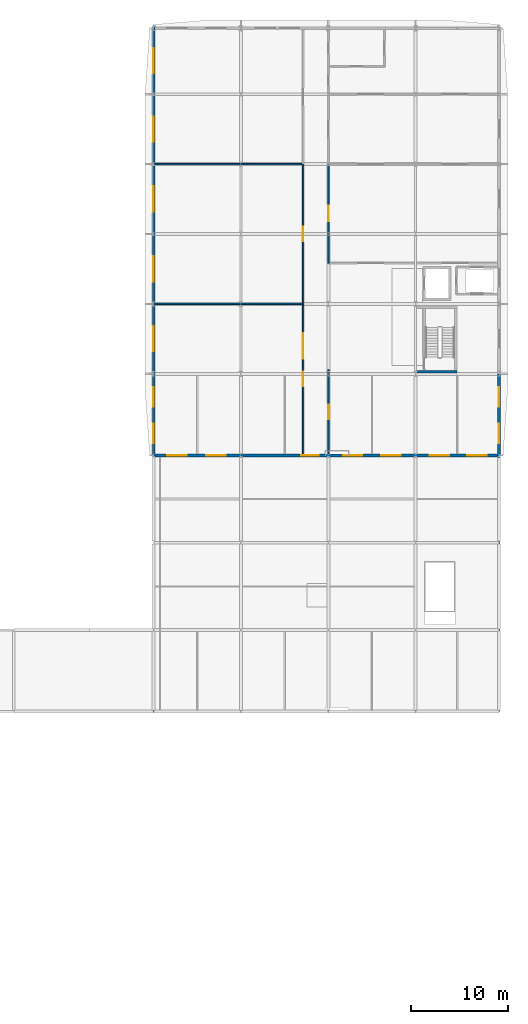
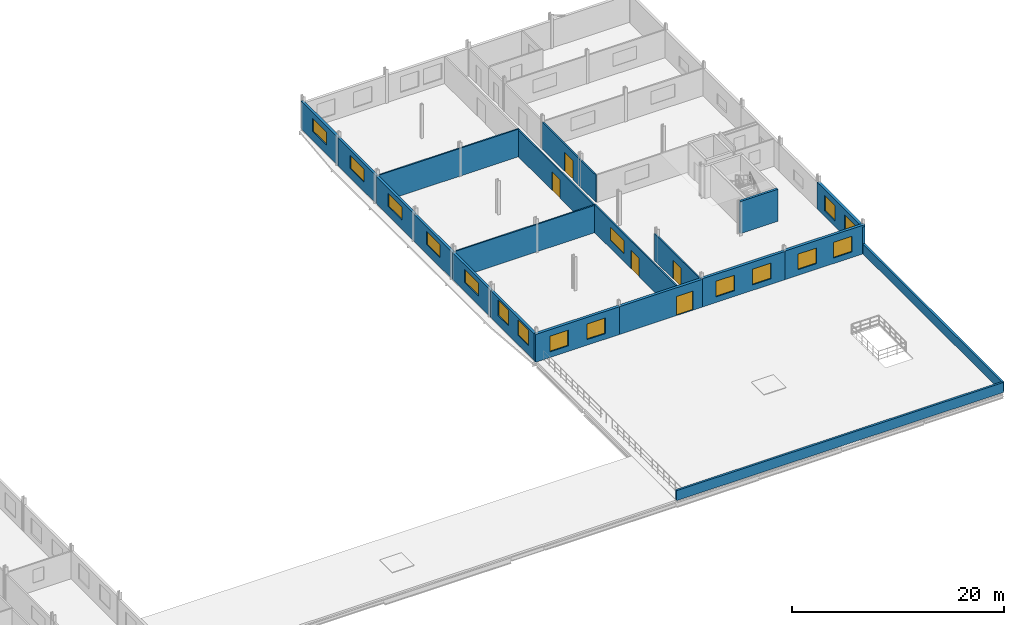
# One storey, part 66 of 78: 20 walls, 16 windows, 5 doors, 21 openings.
"""IFC4 building model written with IfcOpenShell, lengths in metres."""

from ifc_helpers import new_model, si_unit, direction, frame, frame_2d, origin, place, context, subcontext, project, spatial, rectangle, extrude, material, layer, layer_set, type_object, element, fill, save


model = new_model("IFC4")

# Units and contexts
model_context = context("Model", 3, precision=1e-05, world=origin(), true_north=direction((0.0, 1.0)))
body_context = subcontext(model_context, "Body", "Model", "MODEL_VIEW")
ifc_project = project(units=[si_unit("LENGTHUNIT", "METRE"), si_unit("AREAUNIT", "SQUARE_METRE"), si_unit("VOLUMEUNIT", "CUBIC_METRE"), si_unit("PLANEANGLEUNIT", "RADIAN"), si_unit("MASSUNIT", "GRAM", prefix="KILO")], contexts=[model_context])

# Site, building, storey
site_placement = place(None, origin())
site = spatial("IfcSite", under=ifc_project, at=site_placement, CompositionType="ELEMENT")
building_placement = place(site_placement, origin())
building = spatial("IfcBuilding", under=site, at=building_placement, Name="Vinh Khe Railworks Police Headquarters", CompositionType="ELEMENT")
storey_placement = place(building_placement, frame((0.0, 0.0, 13.199951171875)))
storey = spatial("IfcBuildingStorey", under=building, at=storey_placement, Name="L03", CompositionType="ELEMENT", Elevation=13.199951171875)

# Wall
ifc_material_1 = material(Name="Concrete C40/50 (B40)", Category="concrete")
ifc_layer_1 = layer(ifc_material_1, 0.25)
ifc_layer_set_1 = layer_set([ifc_layer_1], Name="Concrete C40/50 (B40)")
wall_type_1 = type_object("IfcWallType", Name="Core Shear Wall 250", PredefinedType="SHEAR", material=ifc_layer_set_1)
wall_1_placement = place(storey_placement, frame((105.14990234375, 131.02490234375, 0.0), z_axis=(0.0, 0.0, 1.0), x_axis=(1.0, 0.0, 0.0)))
element("IfcWall", 1, at=wall_1_placement, inside=storey, type_object=wall_type_1, Name="Core C3 STAIR-S Shear Wall (L03)", PredefinedType="SHEAR", context=body_context, shape_type="SweptSolid", body=[
    extrude(rectangle(XDim=4.10009765625, YDim=0.25, at=frame_2d((2.050048828125, 0.0))), origin(), (0.0, 0.0, 1.0), 3.699951171875),
])

# Wall, openings, windows
ifc_material_2 = material(Name="Clay brickwork", Category="masonry")
ifc_layer_2 = layer(ifc_material_2, 0.260009765625)
ifc_layer_set_2 = layer_set([ifc_layer_2], Name="Clay brickwork")
wall_type_2 = type_object("IfcWallType", Name="EW-BRK-260", PredefinedType="SOLIDWALL", material=ifc_layer_set_2)
wall_2_placement = place(storey_placement, frame((78.0, 122.27001953125, 0.0), z_axis=(0.0, 0.0, 1.0), x_axis=(0.0, 1.0, 0.0)))
wall_2 = element("IfcWall", 2, at=wall_2_placement, inside=storey, type_object=wall_type_2, Name="Exterior Brick Wall EW-L03-V6W-01", PredefinedType="SOLIDWALL", context=body_context, shape_type="SweptSolid", body=[
    extrude(rectangle(XDim=8.530029296875, YDim=0.260009765625, at=frame_2d((4.26513671875, 0.0))), origin(), (0.0, 0.0, 1.0), 3.094970703125),
])
opening_1_placement = place(wall_2_placement, frame((1.388427734375, 0.0, 1.050048828125)))
opening_1 = element("IfcOpeningElement", 3, at=opening_1_placement, cuts=wall_2, Name="Opening WN-04", PredefinedType="OPENING", context=body_context, shape_type="SweptSolid", body=[
    extrude(rectangle(XDim=2.0, YDim=1.800048828125, at=frame_2d((1.0, 0.89990234375))), frame((0.0, 0.14501953125, 0.0), z_axis=(0.0, -1.0, 0.0), x_axis=(1.0, 0.0, 0.0)), (0.0, 0.0, 1.0), 0.289794921875),
])
opening_2_placement = place(wall_2_placement, frame((5.1416015625, 0.0, 1.050048828125)))
opening_2 = element("IfcOpeningElement", 4, at=opening_2_placement, cuts=wall_2, Name="Opening WN-04", PredefinedType="OPENING", context=body_context, shape_type="SweptSolid", body=[
    extrude(rectangle(XDim=2.0, YDim=1.800048828125, at=frame_2d((1.0, 0.89990234375))), frame((0.0, 0.14501953125, 0.0), z_axis=(0.0, -1.0, 0.0), x_axis=(1.0, 0.0, 0.0)), (0.0, 0.0, 1.0), 0.289794921875),
])
ifc_material_3 = material(Name="Double-glazed solar-control glass in dark steel frame", Category="steel")
window_type_1 = type_object("IfcWindowType", Name="WIN-WN-04", PartitioningType="DOUBLE_PANEL_VERTICAL", PredefinedType="WINDOW", material=ifc_material_3)
window_1_placement = place(opening_1_placement, origin())
window_1 = element("IfcWindow", 5, at=window_1_placement, inside=storey, type_object=window_type_1, Name="Casement Window WN-04", OverallHeight=1.800048828125, OverallWidth=2.0, PartitioningType="SINGLE_PANEL", PredefinedType="WINDOW", context=body_context, shape_type="SweptSolid", body=[
    extrude(rectangle(XDim=2.0, YDim=1.800048828125, at=frame_2d((1.0, 0.89990234375))), frame((0.0, 0.030029296875, 0.0), z_axis=(0.0, -1.0, 0.0), x_axis=(1.0, 0.0, 0.0)), (0.0, 0.0, 1.0), 0.06005859375),
])
fill(opening_1, window_1)
window_2_placement = place(opening_2_placement, origin())
window_2 = element("IfcWindow", 6, at=window_2_placement, inside=storey, type_object=window_type_1, Name="Casement Window WN-04", OverallHeight=1.800048828125, OverallWidth=2.0, PartitioningType="SINGLE_PANEL", PredefinedType="WINDOW", context=body_context, shape_type="SweptSolid", body=[
    extrude(rectangle(XDim=2.0, YDim=1.800048828125, at=frame_2d((1.0, 0.89990234375))), frame((0.0, 0.030029296875, 0.0), z_axis=(0.0, -1.0, 0.0), x_axis=(1.0, 0.0, 0.0)), (0.0, 0.0, 1.0), 0.06005859375),
])
fill(opening_2, window_2)

# Wall, opening, window
wall_3_placement = place(storey_placement, frame((78.0, 130.800048828125, 0.0), z_axis=(0.0, 0.0, 1.0), x_axis=(0.0, 1.0, 0.0)))
wall_3 = element("IfcWall", 7, at=wall_3_placement, inside=storey, type_object=wall_type_2, Name="Exterior Brick Wall EW-L03-V6W-02", PredefinedType="SOLIDWALL", context=body_context, shape_type="SweptSolid", body=[
    extrude(rectangle(XDim=7.199951171875, YDim=0.260009765625, at=frame_2d((3.60009765625, 0.0))), origin(), (0.0, 0.0, 1.0), 3.094970703125),
])
opening_3_placement = place(wall_3_placement, frame((2.300048828125, 0.0, 1.050048828125)))
opening_3 = element("IfcOpeningElement", 8, at=opening_3_placement, cuts=wall_3, Name="Opening WN-07", PredefinedType="OPENING", context=body_context, shape_type="SweptSolid", body=[
    extrude(rectangle(XDim=2.60009765625, YDim=1.5, at=frame_2d((1.300048828125, 0.75))), frame((0.0, 0.14501953125, 0.0), z_axis=(0.0, -1.0, 0.0), x_axis=(1.0, 0.0, 0.0)), (0.0, 0.0, 1.0), 0.289794921875),
])
window_type_2 = type_object("IfcWindowType", Name="WIN-WN-07", PartitioningType="DOUBLE_PANEL_HORIZONTAL", PredefinedType="WINDOW", material=ifc_material_3)
window_3_placement = place(opening_3_placement, origin())
window_3 = element("IfcWindow", 9, at=window_3_placement, inside=storey, type_object=window_type_2, Name="Casement Window WN-07", OverallHeight=1.5, OverallWidth=2.60009765625, PartitioningType="SINGLE_PANEL", PredefinedType="WINDOW", context=body_context, shape_type="SweptSolid", body=[
    extrude(rectangle(XDim=2.60009765625, YDim=1.5, at=frame_2d((1.300048828125, 0.75))), frame((0.0, 0.030029296875, 0.0), z_axis=(0.0, -1.0, 0.0), x_axis=(1.0, 0.0, 0.0)), (0.0, 0.0, 1.0), 0.06005859375),
])
fill(opening_3, window_3)

wall_4_placement = place(storey_placement, frame((78.0, 138.0, 0.0), z_axis=(0.0, 0.0, 1.0), x_axis=(0.0, 1.0, 0.0)))
wall_4 = element("IfcWall", 10, at=wall_4_placement, inside=storey, type_object=wall_type_2, Name="Exterior Brick Wall EW-L03-V6W-03", PredefinedType="SOLIDWALL", context=body_context, shape_type="SweptSolid", body=[
    extrude(rectangle(XDim=7.199951171875, YDim=0.260009765625, at=frame_2d((3.60009765625, 0.0))), origin(), (0.0, 0.0, 1.0), 3.094970703125),
])
opening_4_placement = place(wall_4_placement, frame((2.300048828125, 0.0, 1.050048828125)))
opening_4 = element("IfcOpeningElement", 11, at=opening_4_placement, cuts=wall_4, Name="Opening WN-07", PredefinedType="OPENING", context=body_context, shape_type="SweptSolid", body=[
    extrude(rectangle(XDim=2.60009765625, YDim=1.5, at=frame_2d((1.300048828125, 0.75))), frame((0.0, 0.14501953125, 0.0), z_axis=(0.0, -1.0, 0.0), x_axis=(1.0, 0.0, 0.0)), (0.0, 0.0, 1.0), 0.289794921875),
])
window_4_placement = place(opening_4_placement, origin())
window_4 = element("IfcWindow", 12, at=window_4_placement, inside=storey, type_object=window_type_2, Name="Casement Window WN-07", OverallHeight=1.5, OverallWidth=2.60009765625, PartitioningType="SINGLE_PANEL", PredefinedType="WINDOW", context=body_context, shape_type="SweptSolid", body=[
    extrude(rectangle(XDim=2.60009765625, YDim=1.5, at=frame_2d((1.300048828125, 0.75))), frame((0.0, 0.030029296875, 0.0), z_axis=(0.0, -1.0, 0.0), x_axis=(1.0, 0.0, 0.0)), (0.0, 0.0, 1.0), 0.06005859375),
])
fill(opening_4, window_4)

wall_5_placement = place(storey_placement, frame((78.0, 145.199951171875, 0.0), z_axis=(0.0, 0.0, 1.0), x_axis=(0.0, 1.0, 0.0)))
wall_5 = element("IfcWall", 13, at=wall_5_placement, inside=storey, type_object=wall_type_2, Name="Exterior Brick Wall EW-L03-V6W-04", PredefinedType="SOLIDWALL", context=body_context, shape_type="SweptSolid", body=[
    extrude(rectangle(XDim=7.199951171875, YDim=0.260009765625, at=frame_2d((3.60009765625, 0.0))), origin(), (0.0, 0.0, 1.0), 3.14501953125),
])
opening_5_placement = place(wall_5_placement, frame((2.300048828125, 0.0, 1.050048828125)))
opening_5 = element("IfcOpeningElement", 14, at=opening_5_placement, cuts=wall_5, Name="Opening WN-07", PredefinedType="OPENING", context=body_context, shape_type="SweptSolid", body=[
    extrude(rectangle(XDim=2.60009765625, YDim=1.5, at=frame_2d((1.300048828125, 0.75))), frame((0.0, 0.14501953125, 0.0), z_axis=(0.0, -1.0, 0.0), x_axis=(1.0, 0.0, 0.0)), (0.0, 0.0, 1.0), 0.289794921875),
])
window_5_placement = place(opening_5_placement, origin())
window_5 = element("IfcWindow", 15, at=window_5_placement, inside=storey, type_object=window_type_2, Name="Casement Window WN-07", OverallHeight=1.5, OverallWidth=2.60009765625, PartitioningType="SINGLE_PANEL", PredefinedType="WINDOW", context=body_context, shape_type="SweptSolid", body=[
    extrude(rectangle(XDim=2.60009765625, YDim=1.5, at=frame_2d((1.300048828125, 0.75))), frame((0.0, 0.030029296875, 0.0), z_axis=(0.0, -1.0, 0.0), x_axis=(1.0, 0.0, 0.0)), (0.0, 0.0, 1.0), 0.06005859375),
])
fill(opening_5, window_5)

wall_6_placement = place(storey_placement, frame((78.0, 152.39990234375, 0.0), z_axis=(0.0, 0.0, 1.0), x_axis=(0.0, 1.0, 0.0)))
wall_6 = element("IfcWall", 16, at=wall_6_placement, inside=storey, type_object=wall_type_2, Name="Exterior Brick Wall EW-L03-V6W-05", PredefinedType="SOLIDWALL", context=body_context, shape_type="SweptSolid", body=[
    extrude(rectangle(XDim=7.2001953125, YDim=0.260009765625, at=frame_2d((3.60009765625, 0.0))), origin(), (0.0, 0.0, 1.0), 3.195068359375),
])
opening_6_placement = place(wall_6_placement, frame((2.300048828125, 0.0, 1.050048828125)))
opening_6 = element("IfcOpeningElement", 17, at=opening_6_placement, cuts=wall_6, Name="Opening WN-07", PredefinedType="OPENING", context=body_context, shape_type="SweptSolid", body=[
    extrude(rectangle(XDim=2.60009765625, YDim=1.5, at=frame_2d((1.300048828125, 0.75))), frame((0.0, 0.14501953125, 0.0), z_axis=(0.0, -1.0, 0.0), x_axis=(1.0, 0.0, 0.0)), (0.0, 0.0, 1.0), 0.289794921875),
])
window_6_placement = place(opening_6_placement, origin())
window_6 = element("IfcWindow", 18, at=window_6_placement, inside=storey, type_object=window_type_2, Name="Casement Window WN-07", OverallHeight=1.5, OverallWidth=2.60009765625, PartitioningType="SINGLE_PANEL", PredefinedType="WINDOW", context=body_context, shape_type="SweptSolid", body=[
    extrude(rectangle(XDim=2.60009765625, YDim=1.5, at=frame_2d((1.300048828125, 0.75))), frame((0.0, 0.030029296875, 0.0), z_axis=(0.0, -1.0, 0.0), x_axis=(1.0, 0.0, 0.0)), (0.0, 0.0, 1.0), 0.06005859375),
])
fill(opening_6, window_6)

wall_7_placement = place(storey_placement, frame((78.0, 159.60009765625, 0.0), z_axis=(0.0, 0.0, 1.0), x_axis=(0.0, 1.0, 0.0)))
wall_7 = element("IfcWall", 19, at=wall_7_placement, inside=storey, type_object=wall_type_2, Name="Exterior Brick Wall EW-L03-V6W-06", PredefinedType="SOLIDWALL", context=body_context, shape_type="SweptSolid", body=[
    extrude(rectangle(XDim=6.929931640625, YDim=0.260009765625, at=frame_2d((3.46484375, 0.0))), origin(), (0.0, 0.0, 1.0), 3.2451171875),
])
opening_7_placement = place(wall_7_placement, frame((2.1650390625, 0.0, 1.050048828125)))
opening_7 = element("IfcOpeningElement", 20, at=opening_7_placement, cuts=wall_7, Name="Opening WN-07", PredefinedType="OPENING", context=body_context, shape_type="SweptSolid", body=[
    extrude(rectangle(XDim=2.60009765625, YDim=1.5, at=frame_2d((1.300048828125, 0.75))), frame((0.0, 0.14501953125, 0.0), z_axis=(0.0, -1.0, 0.0), x_axis=(1.0, 0.0, 0.0)), (0.0, 0.0, 1.0), 0.289794921875),
])
window_7_placement = place(opening_7_placement, origin())
window_7 = element("IfcWindow", 21, at=window_7_placement, inside=storey, type_object=window_type_2, Name="Casement Window WN-07", OverallHeight=1.5, OverallWidth=2.60009765625, PartitioningType="SINGLE_PANEL", PredefinedType="WINDOW", context=body_context, shape_type="SweptSolid", body=[
    extrude(rectangle(XDim=2.60009765625, YDim=1.5, at=frame_2d((1.300048828125, 0.75))), frame((0.0, 0.030029296875, 0.0), z_axis=(0.0, -1.0, 0.0), x_axis=(1.0, 0.0, 0.0)), (0.0, 0.0, 1.0), 0.06005859375),
])
fill(opening_7, window_7)

# Wall, openings, windows
ifc_layer_3 = layer(ifc_material_2, 0.300048828125)
ifc_layer_set_3 = layer_set([ifc_layer_3], Name="Clay brickwork")
wall_type_3 = type_object("IfcWallType", Name="EW-BRK-300", PredefinedType="SOLIDWALL", material=ifc_layer_set_3)
wall_8_placement = place(storey_placement, frame((113.60009765625, 122.25, 0.0), z_axis=(0.0, 0.0, 1.0), x_axis=(0.0, 1.0, 0.0)))
wall_8 = element("IfcWall", 22, at=wall_8_placement, inside=storey, type_object=wall_type_3, Name="Exterior Brick Wall EW-L03-V6E-01", PredefinedType="SOLIDWALL", context=body_context, shape_type="SweptSolid", body=[
    extrude(rectangle(XDim=8.550048828125, YDim=0.300048828125, at=frame_2d((4.27490234375, 0.0))), origin(), (0.0, 0.0, 1.0), 3.094970703125),
])
opening_8_placement = place(wall_8_placement, frame((1.39404296875, 0.0, 0.64990234375)))
opening_8 = element("IfcOpeningElement", 23, at=opening_8_placement, cuts=wall_8, Name="Opening WN-04", PredefinedType="OPENING", context=body_context, shape_type="SweptSolid", body=[
    extrude(rectangle(XDim=2.0, YDim=1.800048828125, at=frame_2d((1.0, 0.89990234375))), frame((0.0, 0.1650390625, 0.0), z_axis=(0.0, -1.0, 0.0), x_axis=(1.0, 0.0, 0.0)), (0.0, 0.0, 1.0), 0.329833984375),
])
opening_9_placement = place(wall_8_placement, frame((5.156005859375, 0.0, 0.64990234375)))
opening_9 = element("IfcOpeningElement", 24, at=opening_9_placement, cuts=wall_8, Name="Opening WN-04", PredefinedType="OPENING", context=body_context, shape_type="SweptSolid", body=[
    extrude(rectangle(XDim=2.0, YDim=1.800048828125, at=frame_2d((1.0, 0.89990234375))), frame((0.0, 0.1650390625, 0.0), z_axis=(0.0, -1.0, 0.0), x_axis=(1.0, 0.0, 0.0)), (0.0, 0.0, 1.0), 0.329833984375),
])
window_8_placement = place(opening_8_placement, origin())
window_8 = element("IfcWindow", 25, at=window_8_placement, inside=storey, type_object=window_type_1, Name="Casement Window WN-04", OverallHeight=1.800048828125, OverallWidth=2.0, PartitioningType="SINGLE_PANEL", PredefinedType="WINDOW", context=body_context, shape_type="SweptSolid", body=[
    extrude(rectangle(XDim=2.0, YDim=1.800048828125, at=frame_2d((1.0, 0.89990234375))), frame((0.0, 0.030029296875, 0.0), z_axis=(0.0, -1.0, 0.0), x_axis=(1.0, 0.0, 0.0)), (0.0, 0.0, 1.0), 0.06005859375),
])
fill(opening_8, window_8)
window_9_placement = place(opening_9_placement, origin())
window_9 = element("IfcWindow", 26, at=window_9_placement, inside=storey, type_object=window_type_1, Name="Casement Window WN-04", OverallHeight=1.800048828125, OverallWidth=2.0, PartitioningType="SINGLE_PANEL", PredefinedType="WINDOW", context=body_context, shape_type="SweptSolid", body=[
    extrude(rectangle(XDim=2.0, YDim=1.800048828125, at=frame_2d((1.0, 0.89990234375))), frame((0.0, 0.030029296875, 0.0), z_axis=(0.0, -1.0, 0.0), x_axis=(1.0, 0.0, 0.0)), (0.0, 0.0, 1.0), 0.06005859375),
])
fill(opening_9, window_9)

wall_9_placement = place(storey_placement, frame((77.85009765625, 122.39990234375, 0.0), z_axis=(0.0, 0.0, 1.0), x_axis=(1.0, 0.0, 0.0)))
wall_9 = element("IfcWall", 27, at=wall_9_placement, inside=storey, type_object=wall_type_3, Name="Exterior Brick Wall EW-L03-V6S-01", PredefinedType="SOLIDWALL", context=body_context, shape_type="SweptSolid", body=[
    extrude(rectangle(XDim=9.14990234375, YDim=0.300048828125, at=frame_2d((4.574951171875, 0.0))), origin(), (0.0, 0.0, 1.0), 3.205078125),
])
opening_10_placement = place(wall_9_placement, frame((1.56201171875, 0.0, 0.64990234375)))
opening_10 = element("IfcOpeningElement", 28, at=opening_10_placement, cuts=wall_9, Name="Opening WN-04", PredefinedType="OPENING", context=body_context, shape_type="SweptSolid", body=[
    extrude(rectangle(XDim=2.0, YDim=1.800048828125, at=frame_2d((1.0, 0.89990234375))), frame((0.0, 0.1650390625, 0.0), z_axis=(0.0, -1.0, 0.0), x_axis=(1.0, 0.0, 0.0)), (0.0, 0.0, 1.0), 0.329833984375),
])
opening_11_placement = place(wall_9_placement, frame((5.587890625, 0.0, 0.64990234375)))
opening_11 = element("IfcOpeningElement", 29, at=opening_11_placement, cuts=wall_9, Name="Opening WN-04", PredefinedType="OPENING", context=body_context, shape_type="SweptSolid", body=[
    extrude(rectangle(XDim=2.0, YDim=1.800048828125, at=frame_2d((1.0, 0.89990234375))), frame((0.0, 0.1650390625, 0.0), z_axis=(0.0, -1.0, 0.0), x_axis=(1.0, 0.0, 0.0)), (0.0, 0.0, 1.0), 0.329833984375),
])
window_10_placement = place(opening_10_placement, origin())
window_10 = element("IfcWindow", 30, at=window_10_placement, inside=storey, type_object=window_type_1, Name="Casement Window WN-04", OverallHeight=1.800048828125, OverallWidth=2.0, PartitioningType="SINGLE_PANEL", PredefinedType="WINDOW", context=body_context, shape_type="SweptSolid", body=[
    extrude(rectangle(XDim=2.0, YDim=1.800048828125, at=frame_2d((1.0, 0.89990234375))), frame((0.0, 0.030029296875, 0.0), z_axis=(0.0, -1.0, 0.0), x_axis=(1.0, 0.0, 0.0)), (0.0, 0.0, 1.0), 0.06005859375),
])
fill(opening_10, window_10)
window_11_placement = place(opening_11_placement, origin())
window_11 = element("IfcWindow", 31, at=window_11_placement, inside=storey, type_object=window_type_1, Name="Casement Window WN-04", OverallHeight=1.800048828125, OverallWidth=2.0, PartitioningType="SINGLE_PANEL", PredefinedType="WINDOW", context=body_context, shape_type="SweptSolid", body=[
    extrude(rectangle(XDim=2.0, YDim=1.800048828125, at=frame_2d((1.0, 0.89990234375))), frame((0.0, 0.030029296875, 0.0), z_axis=(0.0, -1.0, 0.0), x_axis=(1.0, 0.0, 0.0)), (0.0, 0.0, 1.0), 0.06005859375),
])
fill(opening_11, window_11)

# Wall, opening, door
wall_10_placement = place(storey_placement, frame((87.0, 122.39990234375, 0.0), z_axis=(0.0, 0.0, 1.0), x_axis=(1.0, 0.0, 0.0)))
wall_10 = element("IfcWall", 32, at=wall_10_placement, inside=storey, type_object=wall_type_3, Name="Exterior Brick Wall EW-L03-V6S-02", PredefinedType="SOLIDWALL", context=body_context, shape_type="SweptSolid", body=[
    extrude(rectangle(XDim=9.0, YDim=0.300048828125, at=frame_2d((4.5, 0.0))), origin(), (0.0, 0.0, 1.0), 3.205078125),
])
opening_12_placement = place(wall_10_placement, frame((6.199951171875, 0.0, 0.0)))
opening_12 = element("IfcOpeningElement", 33, at=opening_12_placement, cuts=wall_10, Name="Opening ED-03", PredefinedType="OPENING", context=body_context, shape_type="SweptSolid", body=[
    extrude(rectangle(XDim=1.800048828125, YDim=2.199951171875, at=frame_2d((0.89990234375, 1.10009765625))), frame((0.0, 0.1650390625, 0.0), z_axis=(0.0, -1.0, 0.0), x_axis=(1.0, 0.0, 0.0)), (0.0, 0.0, 1.0), 0.329833984375),
])
ifc_material_4 = material(Name="Dark anodised aluminium and solar-control glass", Category="aluminium")
door_type_1 = type_object("IfcDoorType", Name="ED-TER-1800", OperationType="DOUBLE_DOOR_SINGLE_SWING", PredefinedType="DOOR", material=ifc_material_4)
door_1_placement = place(opening_12_placement, frame((1.800048828125, 0.0, 0.0), z_axis=(0.0, 0.0, 1.0), x_axis=(-1.0, 0.0, 0.0)))
door_1 = element("IfcDoor", 34, at=door_1_placement, inside=storey, type_object=door_type_1, Name="Custody Wing Roof Terrace Access Door", OperationType="DOUBLE_DOOR_SINGLE_SWING", OverallHeight=2.199951171875, OverallWidth=1.800048828125, PredefinedType="DOOR", context=body_context, shape_type="SweptSolid", body=[
    extrude(rectangle(XDim=1.800048828125, YDim=2.199951171875, at=frame_2d((0.89990234375, 1.10009765625))), frame((0.0, 0.02490234375, 0.0), z_axis=(0.0, -1.0, 0.0), x_axis=(1.0, 0.0, 0.0)), (0.0, 0.0, 1.0), 0.050048828125),
])
fill(opening_12, door_1)

# Wall, openings, windows
wall_11_placement = place(storey_placement, frame((96.0, 122.39990234375, 0.0), z_axis=(0.0, 0.0, 1.0), x_axis=(1.0, 0.0, 0.0)))
wall_11 = element("IfcWall", 35, at=wall_11_placement, inside=storey, type_object=wall_type_3, Name="Exterior Brick Wall EW-L03-V6S-03", PredefinedType="SOLIDWALL", context=body_context, shape_type="SweptSolid", body=[
    extrude(rectangle(XDim=9.0, YDim=0.300048828125, at=frame_2d((4.5, 0.0))), origin(), (0.0, 0.0, 1.0), 3.255126953125),
])
opening_13_placement = place(wall_11_placement, frame((1.52001953125, 0.0, 0.64990234375)))
opening_13 = element("IfcOpeningElement", 36, at=opening_13_placement, cuts=wall_11, Name="Opening WN-04", PredefinedType="OPENING", context=body_context, shape_type="SweptSolid", body=[
    extrude(rectangle(XDim=2.0, YDim=1.800048828125, at=frame_2d((1.0, 0.89990234375))), frame((0.0, 0.1650390625, 0.0), z_axis=(0.0, -1.0, 0.0), x_axis=(1.0, 0.0, 0.0)), (0.0, 0.0, 1.0), 0.329833984375),
])
opening_14_placement = place(wall_11_placement, frame((5.47998046875, 0.0, 0.64990234375)))
opening_14 = element("IfcOpeningElement", 37, at=opening_14_placement, cuts=wall_11, Name="Opening WN-04", PredefinedType="OPENING", context=body_context, shape_type="SweptSolid", body=[
    extrude(rectangle(XDim=2.0, YDim=1.800048828125, at=frame_2d((1.0, 0.89990234375))), frame((0.0, 0.1650390625, 0.0), z_axis=(0.0, -1.0, 0.0), x_axis=(1.0, 0.0, 0.0)), (0.0, 0.0, 1.0), 0.329833984375),
])
window_12_placement = place(opening_13_placement, origin())
window_12 = element("IfcWindow", 38, at=window_12_placement, inside=storey, type_object=window_type_1, Name="Casement Window WN-04", OverallHeight=1.800048828125, OverallWidth=2.0, PartitioningType="SINGLE_PANEL", PredefinedType="WINDOW", context=body_context, shape_type="SweptSolid", body=[
    extrude(rectangle(XDim=2.0, YDim=1.800048828125, at=frame_2d((1.0, 0.89990234375))), frame((0.0, 0.030029296875, 0.0), z_axis=(0.0, -1.0, 0.0), x_axis=(1.0, 0.0, 0.0)), (0.0, 0.0, 1.0), 0.06005859375),
])
fill(opening_13, window_12)
window_13_placement = place(opening_14_placement, origin())
window_13 = element("IfcWindow", 39, at=window_13_placement, inside=storey, type_object=window_type_1, Name="Casement Window WN-04", OverallHeight=1.800048828125, OverallWidth=2.0, PartitioningType="SINGLE_PANEL", PredefinedType="WINDOW", context=body_context, shape_type="SweptSolid", body=[
    extrude(rectangle(XDim=2.0, YDim=1.800048828125, at=frame_2d((1.0, 0.89990234375))), frame((0.0, 0.030029296875, 0.0), z_axis=(0.0, -1.0, 0.0), x_axis=(1.0, 0.0, 0.0)), (0.0, 0.0, 1.0), 0.06005859375),
])
fill(opening_14, window_13)

wall_12_placement = place(storey_placement, frame((105.0, 122.39990234375, 0.0), z_axis=(0.0, 0.0, 1.0), x_axis=(1.0, 0.0, 0.0)))
wall_12 = element("IfcWall", 40, at=wall_12_placement, inside=storey, type_object=wall_type_3, Name="Exterior Brick Wall EW-L03-V6S-04", PredefinedType="SOLIDWALL", context=body_context, shape_type="SweptSolid", body=[
    extrude(rectangle(XDim=8.75, YDim=0.300048828125, at=frame_2d((4.375, 0.0))), origin(), (0.0, 0.0, 1.0), 3.304931640625),
])
opening_15_placement = place(wall_12_placement, frame((1.449951171875, 0.0, 0.64990234375)))
opening_15 = element("IfcOpeningElement", 41, at=opening_15_placement, cuts=wall_12, Name="Opening WN-04", PredefinedType="OPENING", context=body_context, shape_type="SweptSolid", body=[
    extrude(rectangle(XDim=2.0, YDim=1.800048828125, at=frame_2d((1.0, 0.89990234375))), frame((0.0, 0.1650390625, 0.0), z_axis=(0.0, -1.0, 0.0), x_axis=(1.0, 0.0, 0.0)), (0.0, 0.0, 1.0), 0.329833984375),
])
opening_16_placement = place(wall_12_placement, frame((5.300048828125, 0.0, 0.64990234375)))
opening_16 = element("IfcOpeningElement", 42, at=opening_16_placement, cuts=wall_12, Name="Opening WN-04", PredefinedType="OPENING", context=body_context, shape_type="SweptSolid", body=[
    extrude(rectangle(XDim=2.0, YDim=1.800048828125, at=frame_2d((1.0, 0.89990234375))), frame((0.0, 0.1650390625, 0.0), z_axis=(0.0, -1.0, 0.0), x_axis=(1.0, 0.0, 0.0)), (0.0, 0.0, 1.0), 0.329833984375),
])
window_14_placement = place(opening_15_placement, origin())
window_14 = element("IfcWindow", 43, at=window_14_placement, inside=storey, type_object=window_type_1, Name="Casement Window WN-04", OverallHeight=1.800048828125, OverallWidth=2.0, PartitioningType="SINGLE_PANEL", PredefinedType="WINDOW", context=body_context, shape_type="SweptSolid", body=[
    extrude(rectangle(XDim=2.0, YDim=1.800048828125, at=frame_2d((1.0, 0.89990234375))), frame((0.0, 0.030029296875, 0.0), z_axis=(0.0, -1.0, 0.0), x_axis=(1.0, 0.0, 0.0)), (0.0, 0.0, 1.0), 0.06005859375),
])
fill(opening_15, window_14)
window_15_placement = place(opening_16_placement, origin())
window_15 = element("IfcWindow", 44, at=window_15_placement, inside=storey, type_object=window_type_1, Name="Casement Window WN-04", OverallHeight=1.800048828125, OverallWidth=2.0, PartitioningType="SINGLE_PANEL", PredefinedType="WINDOW", context=body_context, shape_type="SweptSolid", body=[
    extrude(rectangle(XDim=2.0, YDim=1.800048828125, at=frame_2d((1.0, 0.89990234375))), frame((0.0, 0.030029296875, 0.0), z_axis=(0.0, -1.0, 0.0), x_axis=(1.0, 0.0, 0.0)), (0.0, 0.0, 1.0), 0.06005859375),
])
fill(opening_16, window_15)

# Walls
ifc_material_5 = material(Name="Precast concrete C40/50 (B40)", Category="concrete")
ifc_layer_4 = layer(ifc_material_5, 0.219970703125)
ifc_layer_set_4 = layer_set([ifc_layer_4], Name="Precast concrete C40/50 (B40)")
wall_type_4 = type_object("IfcWallType", Name="EW-PAR-220", PredefinedType="PARAPET", material=ifc_layer_set_4)
wall_13_placement = place(storey_placement, frame((78.0, 96.0, 0.0), z_axis=(0.0, 0.0, 1.0), x_axis=(1.0, 0.0, 0.0)))
element("IfcWall", 45, at=wall_13_placement, inside=storey, type_object=wall_type_4, Name="Roof Parapet Wall L03-04", PredefinedType="PARAPET", context=body_context, shape_type="SweptSolid", body=[
    extrude(rectangle(XDim=35.60009765625, YDim=0.219970703125, at=frame_2d((17.800048828125, 0.0))), origin(), (0.0, 0.0, 1.0), 1.150146484375),
])
wall_14_placement = place(storey_placement, frame((113.60009765625, 96.0, 0.0), z_axis=(0.0, 0.0, 1.0), x_axis=(0.0, 1.0, 0.0)))
element("IfcWall", 46, at=wall_14_placement, inside=storey, type_object=wall_type_4, Name="Roof Parapet Wall L03-05", PredefinedType="PARAPET", context=body_context, shape_type="SweptSolid", body=[
    extrude(rectangle(XDim=26.39990234375, YDim=0.219970703125, at=frame_2d((13.199951171875, 0.0))), origin(), (0.0, 0.0, 1.0), 1.150146484375),
])
ifc_material_6 = material(Name="Gypsum plasterboard on steel stud", Category="steel")
ifc_layer_5 = layer(ifc_material_6, 0.1201171875)
ifc_layer_set_5 = layer_set([ifc_layer_5], Name="Gypsum plasterboard on steel stud")
wall_type_5 = type_object("IfcWallType", Name="IW-PART-120", PredefinedType="PARTITIONING", material=ifc_layer_set_5)
wall_15_placement = place(storey_placement, frame((78.139892578125, 138.0, 0.0), z_axis=(0.0, 0.0, 1.0), x_axis=(1.0, 0.0, 0.0)))
element("IfcWall", 47, at=wall_15_placement, inside=storey, type_object=wall_type_5, Name="Interior Partition W-L03-V6B-FDNA-DIV", PredefinedType="PARTITIONING", context=body_context, shape_type="SweptSolid", body=[
    extrude(rectangle(XDim=15.260009765625, YDim=0.14990234375, at=frame_2d((7.6298828125, 0.0))), origin(), (0.0, 0.0, 1.0), 3.155029296875),
])
wall_16_placement = place(storey_placement, frame((78.139892578125, 152.39990234375, 0.0), z_axis=(0.0, 0.0, 1.0), x_axis=(1.0, 0.0, 0.0)))
element("IfcWall", 48, at=wall_16_placement, inside=storey, type_object=wall_type_5, Name="Interior Partition W-L03-V6B-CLS1-DIV", PredefinedType="PARTITIONING", context=body_context, shape_type="SweptSolid", body=[
    extrude(rectangle(XDim=15.260009765625, YDim=0.14990234375, at=frame_2d((7.6298828125, 0.0))), origin(), (0.0, 0.0, 1.0), 3.195068359375),
])

# Wall, openings, door, window
ifc_material_7 = material(Name="Gypsum plasterboard on acoustic steel stud", Category="steel")
ifc_layer_6 = layer(ifc_material_7, 0.14990234375)
ifc_layer_set_6 = layer_set([ifc_layer_6], Name="Gypsum plasterboard on acoustic steel stud")
wall_type_6 = type_object("IfcWallType", Name="IW-PART-150", PredefinedType="PARTITIONING", material=ifc_layer_set_6)
wall_17_placement = place(storey_placement, frame((93.39990234375, 122.56005859375, 0.0), z_axis=(0.0, 0.0, 1.0), x_axis=(0.0, 1.0, 0.0)))
wall_17 = element("IfcWall", 49, at=wall_17_placement, inside=storey, type_object=wall_type_6, Name="Interior Partition W-L03-V6B-FDIG-CW", PredefinedType="PARTITIONING", context=body_context, shape_type="SweptSolid", body=[
    extrude(rectangle(XDim=15.43994140625, YDim=0.14990234375, at=frame_2d((7.719970703125, 0.0))), origin(), (0.0, 0.0, 1.0), 3.205078125),
])
opening_17_placement = place(wall_17_placement, frame((6.969970703125, 0.0, 0.0)))
opening_17 = element("IfcOpeningElement", 50, at=opening_17_placement, cuts=wall_17, Name="Opening FD-02", PredefinedType="OPENING", context=body_context, shape_type="SweptSolid", body=[
    extrude(rectangle(XDim=1.5, YDim=2.14990234375, at=frame_2d((0.75, 1.074951171875))), frame((0.0, 0.08984375, 0.0), z_axis=(0.0, -1.0, 0.0), x_axis=(1.0, 0.0, 0.0)), (0.0, 0.0, 1.0), 0.1796875),
])
opening_18_placement = place(wall_17_placement, frame((9.81689453125, 0.0, 0.949951171875)))
opening_18 = element("IfcOpeningElement", 51, at=opening_18_placement, cuts=wall_17, Name="Opening WN-07", PredefinedType="OPENING", context=body_context, shape_type="SweptSolid", body=[
    extrude(rectangle(XDim=2.60009765625, YDim=1.5, at=frame_2d((1.300048828125, 0.75))), frame((0.0, 0.08984375, 0.0), z_axis=(0.0, -1.0, 0.0), x_axis=(1.0, 0.0, 0.0)), (0.0, 0.0, 1.0), 0.1796875),
])
ifc_material_8 = material(Name="Painted galvanised steel", Category="steel")
door_type_2 = type_object("IfcDoorType", Name="FD-1500x2150", OperationType="DOUBLE_DOOR_SINGLE_SWING", PredefinedType="DOOR", material=ifc_material_8)
door_2_placement = place(opening_17_placement, origin())
door_2 = element("IfcDoor", 52, at=door_2_placement, inside=storey, type_object=door_type_2, Name="Digital Forensic Laboratory Door", OperationType="DOUBLE_DOOR_SINGLE_SWING", OverallHeight=2.14990234375, OverallWidth=1.5, PredefinedType="DOOR", context=body_context, shape_type="SweptSolid", body=[
    extrude(rectangle(XDim=1.5, YDim=2.14990234375, at=frame_2d((0.75, 1.074951171875))), frame((0.0, 0.02490234375, 0.0), z_axis=(0.0, -1.0, 0.0), x_axis=(1.0, 0.0, 0.0)), (0.0, 0.0, 1.0), 0.050048828125),
])
fill(opening_17, door_2)
window_16_placement = place(opening_18_placement, origin())
window_16 = element("IfcWindow", 53, at=window_16_placement, inside=storey, type_object=window_type_2, Name="Interior Acoustic Vision Window WN-07", OverallHeight=1.5, OverallWidth=2.60009765625, PartitioningType="SINGLE_PANEL", PredefinedType="WINDOW", context=body_context, shape_type="SweptSolid", body=[
    extrude(rectangle(XDim=2.60009765625, YDim=1.5, at=frame_2d((1.300048828125, 0.75))), frame((0.0, 0.030029296875, 0.0), z_axis=(0.0, -1.0, 0.0), x_axis=(1.0, 0.0, 0.0)), (0.0, 0.0, 1.0), 0.06005859375),
])
fill(opening_18, window_16)

# Wall, opening, door
wall_18_placement = place(storey_placement, frame((93.39990234375, 138.0, 0.0), z_axis=(0.0, 0.0, 1.0), x_axis=(0.0, 1.0, 0.0)))
wall_18 = element("IfcWall", 54, at=wall_18_placement, inside=storey, type_object=wall_type_6, Name="Interior Partition W-L03-V6B-FDNA-CW", PredefinedType="PARTITIONING", context=body_context, shape_type="SweptSolid", body=[
    extrude(rectangle(XDim=14.39990234375, YDim=0.14990234375, at=frame_2d((7.199951171875, 0.0))), origin(), (0.0, 0.0, 1.0), 3.10498046875),
])
opening_19_placement = place(wall_18_placement, frame((6.449951171875, 0.0, 0.0)))
opening_19 = element("IfcOpeningElement", 55, at=opening_19_placement, cuts=wall_18, Name="Opening FD-02", PredefinedType="OPENING", context=body_context, shape_type="SweptSolid", body=[
    extrude(rectangle(XDim=1.5, YDim=2.14990234375, at=frame_2d((0.75, 1.074951171875))), frame((0.0, 0.08984375, 0.0), z_axis=(0.0, -1.0, 0.0), x_axis=(1.0, 0.0, 0.0)), (0.0, 0.0, 1.0), 0.1796875),
])
door_3_placement = place(opening_19_placement, origin())
door_3 = element("IfcDoor", 56, at=door_3_placement, inside=storey, type_object=door_type_2, Name="DNA Forensic Laboratory Door", OperationType="DOUBLE_DOOR_SINGLE_SWING", OverallHeight=2.14990234375, OverallWidth=1.5, PredefinedType="DOOR", context=body_context, shape_type="SweptSolid", body=[
    extrude(rectangle(XDim=1.5, YDim=2.14990234375, at=frame_2d((0.75, 1.074951171875))), frame((0.0, 0.02490234375, 0.0), z_axis=(0.0, -1.0, 0.0), x_axis=(1.0, 0.0, 0.0)), (0.0, 0.0, 1.0), 0.050048828125),
])
fill(opening_19, door_3)

wall_19_placement = place(storey_placement, frame((96.0, 122.56005859375, 0.0), z_axis=(0.0, 0.0, 1.0), x_axis=(0.0, 1.0, 0.0)))
wall_19 = element("IfcWall", 57, at=wall_19_placement, inside=storey, type_object=wall_type_6, Name="Interior Partition W-L03-V6B-PCR-CE", PredefinedType="PARTITIONING", context=body_context, shape_type="SweptSolid", body=[
    extrude(rectangle(XDim=8.639892578125, YDim=0.14990234375, at=frame_2d((4.31982421875, 0.0))), origin(), (0.0, 0.0, 1.0), 3.094970703125),
])
opening_20_placement = place(wall_19_placement, frame((3.570068359375, 0.0, 0.0)))
opening_20 = element("IfcOpeningElement", 58, at=opening_20_placement, cuts=wall_19, Name="Opening FD-02", PredefinedType="OPENING", context=body_context, shape_type="SweptSolid", body=[
    extrude(rectangle(XDim=1.5, YDim=2.14990234375, at=frame_2d((0.75, 1.074951171875))), frame((0.0, 0.08984375, 0.0), z_axis=(0.0, -1.0, 0.0), x_axis=(1.0, 0.0, 0.0)), (0.0, 0.0, 1.0), 0.1796875),
])
door_4_placement = place(opening_20_placement, origin())
door_4 = element("IfcDoor", 59, at=door_4_placement, inside=storey, type_object=door_type_2, Name="PCR Amplification Clean Laboratory Door", OperationType="DOUBLE_DOOR_SINGLE_SWING", OverallHeight=2.14990234375, OverallWidth=1.5, PredefinedType="DOOR", context=body_context, shape_type="SweptSolid", body=[
    extrude(rectangle(XDim=1.5, YDim=2.14990234375, at=frame_2d((0.75, 1.074951171875))), frame((0.0, 0.02490234375, 0.0), z_axis=(0.0, -1.0, 0.0), x_axis=(1.0, 0.0, 0.0)), (0.0, 0.0, 1.0), 0.050048828125),
])
fill(opening_20, door_4)

wall_20_placement = place(storey_placement, frame((96.0, 142.199951171875, 0.0), z_axis=(0.0, 0.0, 1.0), x_axis=(0.0, 1.0, 0.0)))
wall_20 = element("IfcWall", 60, at=wall_20_placement, inside=storey, type_object=wall_type_6, Name="Interior Partition W-L03-V6B-CLS2-CE", PredefinedType="PARTITIONING", context=body_context, shape_type="SweptSolid", body=[
    extrude(rectangle(XDim=10.199951171875, YDim=0.14990234375, at=frame_2d((5.10009765625, 0.0))), origin(), (0.0, 0.0, 1.0), 3.10498046875),
])
opening_21_placement = place(wall_20_placement, frame((4.300048828125, 0.0, 0.0)))
opening_21 = element("IfcOpeningElement", 61, at=opening_21_placement, cuts=wall_20, Name="Opening D-03", PredefinedType="OPENING", context=body_context, shape_type="SweptSolid", body=[
    extrude(rectangle(XDim=1.60009765625, YDim=2.14990234375, at=frame_2d((0.800048828125, 1.074951171875))), frame((0.0, 0.08984375, 0.0), z_axis=(0.0, -1.0, 0.0), x_axis=(1.0, 0.0, 0.0)), (0.0, 0.0, 1.0), 0.1796875),
])
door_type_3 = type_object("IfcDoorType", Name="ID-1600x2150", OperationType="DOUBLE_DOOR_SINGLE_SWING", PredefinedType="DOOR", material=ifc_material_8)
door_5_placement = place(opening_21_placement, origin())
door_5 = element("IfcDoor", 62, at=door_5_placement, inside=storey, type_object=door_type_3, Name="Police Training Classroom 02 Door", OperationType="DOUBLE_DOOR_SINGLE_SWING", OverallHeight=2.14990234375, OverallWidth=1.60009765625, PredefinedType="DOOR", context=body_context, shape_type="SweptSolid", body=[
    extrude(rectangle(XDim=1.60009765625, YDim=2.14990234375, at=frame_2d((0.800048828125, 1.074951171875))), frame((0.0, 0.02490234375, 0.0), z_axis=(0.0, -1.0, 0.0), x_axis=(1.0, 0.0, 0.0)), (0.0, 0.0, 1.0), 0.050048828125),
])
fill(opening_21, door_5)

save(model, "model.ifc")
